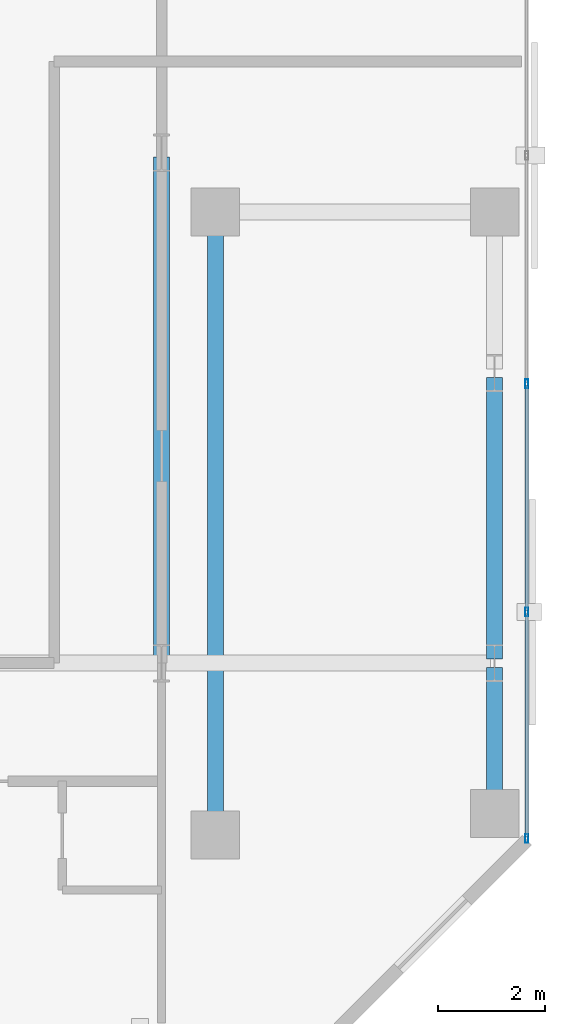
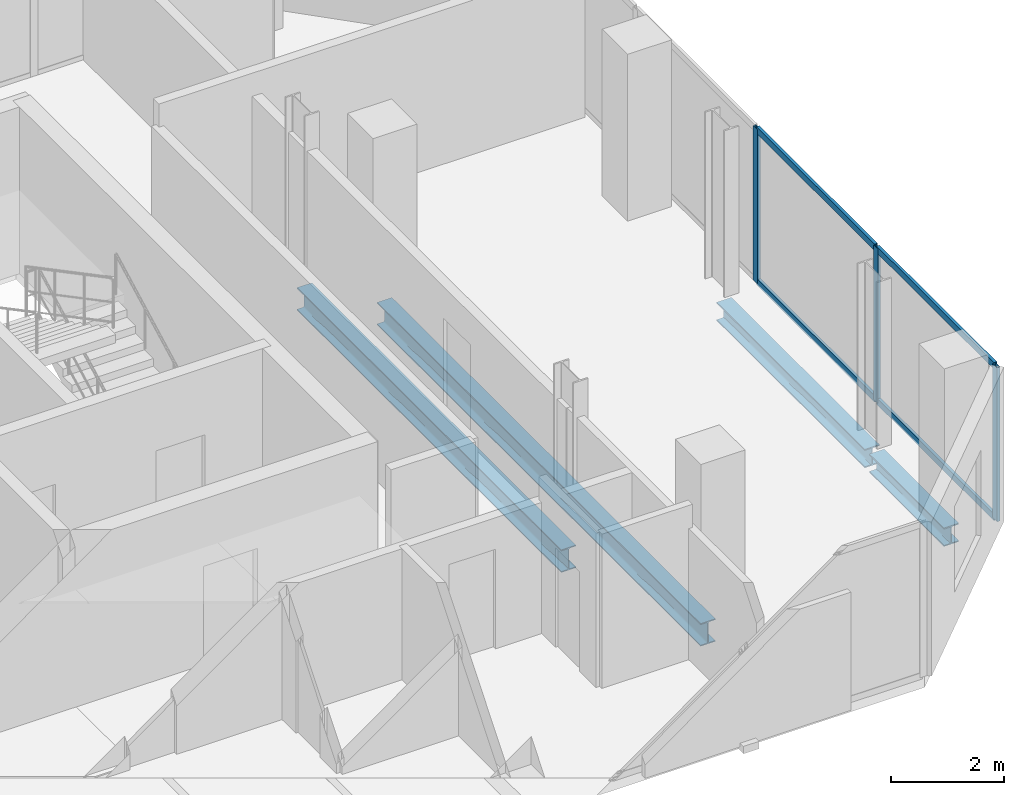
# One storey, part 16 of 34: 7 members, 4 beams, 1 element without a shape of its own.
"""IFC4 building model written with IfcOpenShell, lengths in metres."""

from ifc_helpers import new_model, si_unit, direction, frame, origin, origin_2d, place, context, subcontext, project, spatial, hollow_rectangle, i_section, extrude, material, layer, layer_set, material_profile, profile_set, type_object, element, aggregate, save


model = new_model("IFC4")

# Units and contexts
model_context = context("Model", 3, precision=1e-05, world=origin(), true_north=direction((0.0, 1.0)))
body_context = subcontext(model_context, "Body", "Model", "MODEL_VIEW")
ifc_project = project(units=[si_unit("LENGTHUNIT", "METRE"), si_unit("AREAUNIT", "SQUARE_METRE"), si_unit("VOLUMEUNIT", "CUBIC_METRE"), si_unit("PLANEANGLEUNIT", "RADIAN"), si_unit("MASSUNIT", "GRAM", prefix="KILO")], contexts=[model_context])

# Site, building, storey
site_placement = place(None, origin())
site = spatial("IfcSite", under=ifc_project, at=site_placement, CompositionType="ELEMENT")
building_placement = place(site_placement, origin())
building = spatial("IfcBuilding", under=site, at=building_placement, Name="Catumbela Crestline Tower", CompositionType="ELEMENT")
storey_placement = place(building_placement, frame((0.0, 0.0, 97.2)))
storey = spatial("IfcBuildingStorey", under=building, at=storey_placement, Name="L24", CompositionType="ELEMENT", Elevation=97.2)

# Beams
ifc_material_1 = material(Name="Structural steel S355J2", Category="steel")
ifc_material_profile_1 = material_profile(ifc_material_1, i_section(OverallWidth=0.3, OverallDepth=0.49, WebThickness=0.012, FlangeThickness=0.023, FilletRadius=0.027, at=origin_2d()), Name="HEA 500")
ifc_profile_set_1 = profile_set([ifc_material_profile_1], Name="Structural steel S355J2")
beam_type_1 = type_object("IfcBeamType", Name="BG-HEA500", PredefinedType="BEAM", material=ifc_profile_set_1)
beam_1_placement = place(storey_placement, frame((44.2, 30.88, -0.505), z_axis=(0.0, 1.0, 0.0), x_axis=(-1.0, 0.0, 0.0)))
element("IfcBeam", 1, at=beam_1_placement, inside=storey, type_object=beam_type_1, Name="L24 Beam BM-L24-SN32", PredefinedType="BEAM", context=body_context, shape_type="SweptSolid", body=[
    extrude(i_section(OverallWidth=0.3, OverallDepth=0.49, WebThickness=0.012, FlangeThickness=0.023, FilletRadius=0.027, at=origin_2d()), origin(), (0.0, 0.0, 1.0), 9.34),
])
beam_2_placement = place(storey_placement, frame((45.2, 27.68, -0.505), z_axis=(0.0, 1.0, 0.0), x_axis=(-1.0, 0.0, 0.0)))
element("IfcBeam", 2, at=beam_2_placement, inside=storey, type_object=beam_type_1, Name="L24 Beam BM-L24-SN33", PredefinedType="BEAM", context=body_context, shape_type="SweptSolid", body=[
    extrude(i_section(OverallWidth=0.3, OverallDepth=0.49, WebThickness=0.012, FlangeThickness=0.023, FilletRadius=0.027, at=origin_2d()), origin(), (0.0, 0.0, 1.0), 11.44),
])

# Curtain wall, members
ifc_material_2 = material(Name="Aluminium alloy AW-6060-T66", Category="aluminium")
ifc_layer = layer(ifc_material_2, 0.18, Name="Aluminium alloy AW-6060-T66")
ifc_layer_set = layer_set([ifc_layer], Name="Aluminium alloy AW-6060-T66")
curtain_wall_type = type_object("IfcCurtainWallType", Name="CWU-Z2", PredefinedType="USERDEFINED", material=ifc_layer_set)
curtain_wall_placement = place(storey_placement, origin())
curtain_wall = element("IfcCurtainWall", 3, at=curtain_wall_placement, inside=storey, type_object=curtain_wall_type, Name="L24 Unitised Curtain Wall CW-L24-E5S1", ObjectType="UNITISED", PredefinedType="USERDEFINED")
ifc_material_profile_2 = material_profile(ifc_material_2, hollow_rectangle(XDim=0.06, YDim=0.16, WallThickness=0.004, at=origin_2d()), Name="ALU 160x60x4")
ifc_profile_set_2 = profile_set([ifc_material_profile_2], Name="Aluminium alloy AW-6060-T66")
member_type_1 = type_object("IfcMemberType", Name="MUL-160X60", PredefinedType="MULLION", material=ifc_profile_set_2)
member_1_placement = place(storey_placement, frame((51.0, 27.5325, 0.0), z_axis=(0.0, 0.0, 1.0), x_axis=(-1.0, 0.0, 0.0)))
member_1 = element("IfcMember", 4, at=member_1_placement, type_object=member_type_1, Name="CWU-Z2 mullion 1", PredefinedType="MULLION", context=body_context, shape_type="SweptSolid", body=[
    extrude(hollow_rectangle(XDim=0.06, YDim=0.16, WallThickness=0.004, at=origin_2d()), origin(), (0.0, 0.0, 1.0), 3.33),
])
member_2_placement = place(storey_placement, frame((51.0, 31.75, 0.0), z_axis=(0.0, 0.0, 1.0), x_axis=(-1.0, 0.0, 0.0)))
member_2 = element("IfcMember", 5, at=member_2_placement, type_object=member_type_1, Name="CWU-Z2 mullion 2", PredefinedType="MULLION", context=body_context, shape_type="SweptSolid", body=[
    extrude(hollow_rectangle(XDim=0.06, YDim=0.16, WallThickness=0.004, at=origin_2d()), origin(), (0.0, 0.0, 1.0), 3.33),
])
member_3_placement = place(storey_placement, frame((51.0, 36.0, 0.0), z_axis=(0.0, 0.0, 1.0), x_axis=(-1.0, 0.0, 0.0)))
member_3 = element("IfcMember", 6, at=member_3_placement, type_object=member_type_1, Name="CWU-Z2 mullion 3", PredefinedType="MULLION", context=body_context, shape_type="SweptSolid", body=[
    extrude(hollow_rectangle(XDim=0.06, YDim=0.16, WallThickness=0.004, at=origin_2d()), origin(), (0.0, 0.0, 1.0), 3.33),
])

# Beams
ifc_material_profile_3 = material_profile(ifc_material_1, i_section(OverallWidth=0.3, OverallDepth=0.4, WebThickness=0.0135, FlangeThickness=0.024, FilletRadius=0.027, at=origin_2d()), Name="HEB 400")
ifc_profile_set_3 = profile_set([ifc_material_profile_3], Name="Structural steel S355J2")
beam_type_2 = type_object("IfcBeamType", Name="BS-HEB400", PredefinedType="SPANDREL", material=ifc_profile_set_3)
beam_3_placement = place(storey_placement, frame((50.4, 28.08, -0.46), z_axis=(0.0, 1.0, 0.0), x_axis=(-1.0, 0.0, 0.0)))
element("IfcBeam", 7, at=beam_3_placement, inside=storey, type_object=beam_type_2, Name="L24 Spandrel SP-L24-SN34", PredefinedType="SPANDREL", context=body_context, shape_type="SweptSolid", body=[
    extrude(i_section(OverallWidth=0.3, OverallDepth=0.4, WebThickness=0.0135, FlangeThickness=0.024, FilletRadius=0.027, at=origin_2d()), origin(), (0.0, 0.0, 1.0), 2.64),
])
beam_4_placement = place(storey_placement, frame((50.4, 30.88, -0.46), z_axis=(0.0, 1.0, 0.0), x_axis=(-1.0, 0.0, 0.0)))
element("IfcBeam", 8, at=beam_4_placement, inside=storey, type_object=beam_type_2, Name="L24 Spandrel SP-L24-SN35", PredefinedType="SPANDREL", context=body_context, shape_type="SweptSolid", body=[
    extrude(i_section(OverallWidth=0.3, OverallDepth=0.4, WebThickness=0.0135, FlangeThickness=0.024, FilletRadius=0.027, at=origin_2d()), origin(), (0.0, 0.0, 1.0), 5.24),
])

# Member
ifc_material_profile_4 = material_profile(ifc_material_2, hollow_rectangle(XDim=0.06, YDim=0.14, WallThickness=0.004, at=origin_2d()), Name="ALU 140x60x4")
ifc_profile_set_4 = profile_set([ifc_material_profile_4], Name="Aluminium alloy AW-6060-T66")
member_type_2 = type_object("IfcMemberType", Name="TRN-140X60", PredefinedType="USERDEFINED", material=ifc_profile_set_4)
member_4_placement = place(storey_placement, frame((51.0, 27.565, 0.03), z_axis=(0.0, 1.0, 0.0), x_axis=(-1.0, 0.0, 0.0)))
member_4 = element("IfcMember", 9, at=member_4_placement, type_object=member_type_2, Name="CWU-Z2 transom 1.1", ObjectType="TRANSOM", PredefinedType="USERDEFINED", context=body_context, shape_type="SweptSolid", body=[
    extrude(hollow_rectangle(XDim=0.06, YDim=0.14, WallThickness=0.004, at=origin_2d()), origin(), (0.0, 0.0, 1.0), 4.1525),
])

member_5_placement = place(storey_placement, frame((51.0, 27.565, 3.3), z_axis=(0.0, 1.0, 0.0), x_axis=(-1.0, 0.0, 0.0)))
member_5 = element("IfcMember", 10, at=member_5_placement, type_object=member_type_2, Name="CWU-Z2 transom 1.2", ObjectType="TRANSOM", PredefinedType="USERDEFINED", context=body_context, shape_type="SweptSolid", body=[
    extrude(hollow_rectangle(XDim=0.06, YDim=0.14, WallThickness=0.004, at=origin_2d()), origin(), (0.0, 0.0, 1.0), 4.1525),
])

member_6_placement = place(storey_placement, frame((51.0, 31.7825, 0.03), z_axis=(0.0, 1.0, 0.0), x_axis=(-1.0, 0.0, 0.0)))
member_6 = element("IfcMember", 11, at=member_6_placement, type_object=member_type_2, Name="CWU-Z2 transom 2.1", ObjectType="TRANSOM", PredefinedType="USERDEFINED", context=body_context, shape_type="SweptSolid", body=[
    extrude(hollow_rectangle(XDim=0.06, YDim=0.14, WallThickness=0.004, at=origin_2d()), origin(), (0.0, 0.0, 1.0), 4.185),
])

member_7_placement = place(storey_placement, frame((51.0, 31.7825, 3.3), z_axis=(0.0, 1.0, 0.0), x_axis=(-1.0, 0.0, 0.0)))
member_7 = element("IfcMember", 12, at=member_7_placement, type_object=member_type_2, Name="CWU-Z2 transom 2.2", ObjectType="TRANSOM", PredefinedType="USERDEFINED", context=body_context, shape_type="SweptSolid", body=[
    extrude(hollow_rectangle(XDim=0.06, YDim=0.14, WallThickness=0.004, at=origin_2d()), origin(), (0.0, 0.0, 1.0), 4.185),
])

aggregate(curtain_wall, [member_1, member_2, member_3, member_4, member_5, member_6, member_7])

save(model, "model.ifc")
